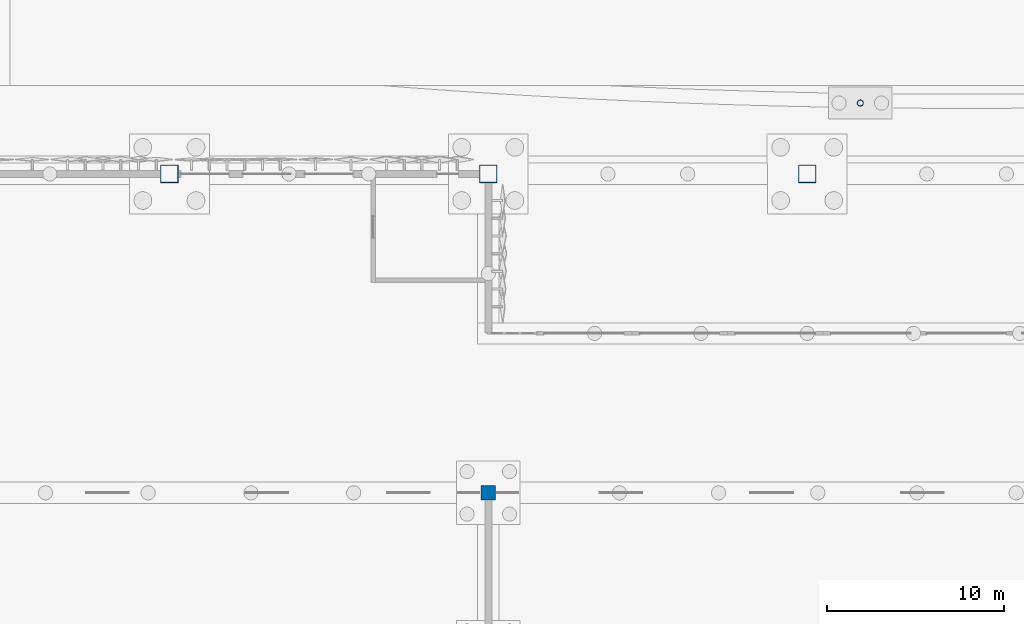
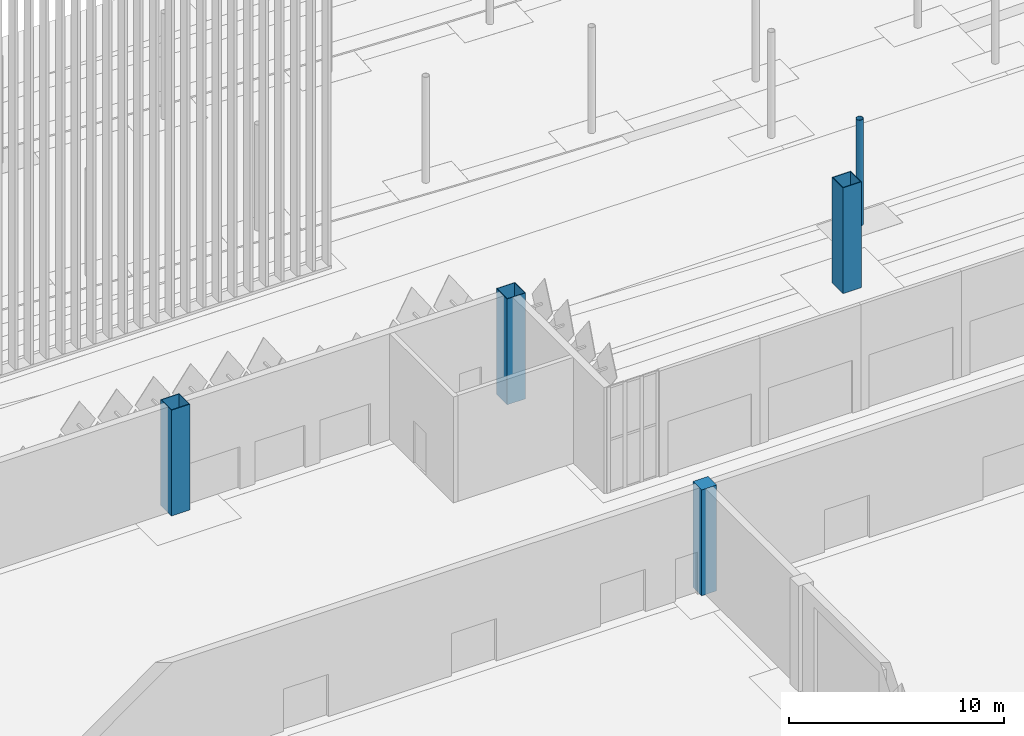
# One storey, part 25 of 198: 5 columns.
"""IFC4 building model written with IfcOpenShell, lengths in metres."""

from ifc_helpers import new_model, si_unit, direction, frame, origin, origin_2d, place, context, subcontext, project, spatial, rectangle, hollow_rectangle, hollow_circle, extrude, material, material_profile, profile_set, type_object, element, save


model = new_model("IFC4")

# Units and contexts
model_context = context("Model", 3, precision=1e-05, world=origin(), true_north=direction((0.0, 1.0)))
body_context = subcontext(model_context, "Body", "Model", "MODEL_VIEW")
ifc_project = project(units=[si_unit("LENGTHUNIT", "METRE"), si_unit("AREAUNIT", "SQUARE_METRE"), si_unit("VOLUMEUNIT", "CUBIC_METRE"), si_unit("PLANEANGLEUNIT", "RADIAN"), si_unit("MASSUNIT", "GRAM", prefix="KILO")], contexts=[model_context])

# Site, building, storey
site_placement = place(None, origin())
site = spatial("IfcSite", under=ifc_project, at=site_placement, CompositionType="ELEMENT")
building_placement = place(site_placement, origin())
building = spatial("IfcBuilding", under=site, at=building_placement, Name="Opaline Strait Convention Centre", CompositionType="ELEMENT")
storey_placement = place(building_placement, origin())
storey = spatial("IfcBuildingStorey", under=building, at=storey_placement, Name="L00", CompositionType="ELEMENT", Elevation=0.0)

# Columns
ifc_material_1 = material(Name="Steel Q355B", Category="steel")
ifc_material_profile_1 = material_profile(ifc_material_1, hollow_circle(Radius=0.175537109375, WallThickness=0.01611328125, at=origin_2d()), Name="CHS 351x16")
ifc_profile_set_1 = profile_set([ifc_material_profile_1], Name="Steel Q355B")
column_type_1 = type_object("IfcColumnType", Name="Arcade column CHS 351x16", PredefinedType="COLUMN", material=ifc_profile_set_1)
column_1_placement = place(storey_placement, frame((174.0, 157.0, 0.0), z_axis=(0.0, 0.0, 1.0), x_axis=(1.0, 0.0, 0.0)))
element("IfcColumn", 1, at=column_1_placement, inside=storey, type_object=column_type_1, Name="Arcade walk column SC-WW1", ObjectType="SCC1", PredefinedType="COLUMN", context=body_context, shape_type="SweptSolid", body=[
    extrude(hollow_circle(Radius=0.175537109375, WallThickness=0.01611328125, at=origin_2d()), origin(), (0.0, 0.0, 1.0), 6.0),
])
ifc_material_profile_2 = material_profile(ifc_material_1, hollow_rectangle(XDim=1.0, YDim=1.0, WallThickness=0.031982421875, at=origin_2d()), Name="BOX 1000x1000x32")
ifc_profile_set_2 = profile_set([ifc_material_profile_2], Name="Steel Q355B")
column_type_2 = type_object("IfcColumnType", Name="CFT column BOX 1000x1000x32 C60 fill", PredefinedType="COLUMN", material=ifc_profile_set_2)
for number, where, z_axis, x_axis, name in (
    (2, (135.0, 153.0, 0.0), (0.0, 0.0, 1.0), (1.0, 0.0, 0.0), "Roof column XC-11"),
    (3, (153.0, 153.0, 0.0), (0.0, 0.0, 1.0), (1.0, 0.0, 0.0), "Roof column XC-13"),
    (4, (171.0, 153.0, 0.0), (0.0, 0.0, 1.0), (1.0, 0.0, 0.0), "Roof column XC-15"),
):
    element("IfcColumn", number, at=place(storey_placement, frame(where, z_axis=z_axis, x_axis=x_axis)), inside=storey, type_object=column_type_2, Name=name, ObjectType="XC1", PredefinedType="COLUMN", context=body_context, shape_type="SweptSolid", body=[
        extrude(hollow_rectangle(XDim=1.0, YDim=1.0, WallThickness=0.031982421875, at=origin_2d()), origin(), (0.0, 0.0, 1.0), 6.0),
    ])
ifc_material_2 = material(Name="Concrete C40", Category="concrete")
ifc_material_profile_3 = material_profile(ifc_material_2, rectangle(XDim=0.800048828125, YDim=0.800048828125, at=origin_2d()), Name="RC 800x800")
ifc_profile_set_3 = profile_set([ifc_material_profile_3], Name="Concrete C40")
column_type_3 = type_object("IfcColumnType", Name="RC column 800x800 C40", PredefinedType="COLUMN", material=ifc_profile_set_3)
column_2_placement = place(storey_placement, frame((153.0, 135.0, 0.0), z_axis=(0.0, 0.0, 1.0), x_axis=(1.0, 0.0, 0.0)))
element("IfcColumn", 5, at=column_2_placement, inside=storey, type_object=column_type_3, Name="Fire wall pilaster", ObjectType="XC2", PredefinedType="COLUMN", context=body_context, shape_type="SweptSolid", body=[
    extrude(rectangle(XDim=0.800048828125, YDim=0.800048828125, at=origin_2d()), origin(), (0.0, 0.0, 1.0), 6.0),
])

save(model, "model.ifc")
